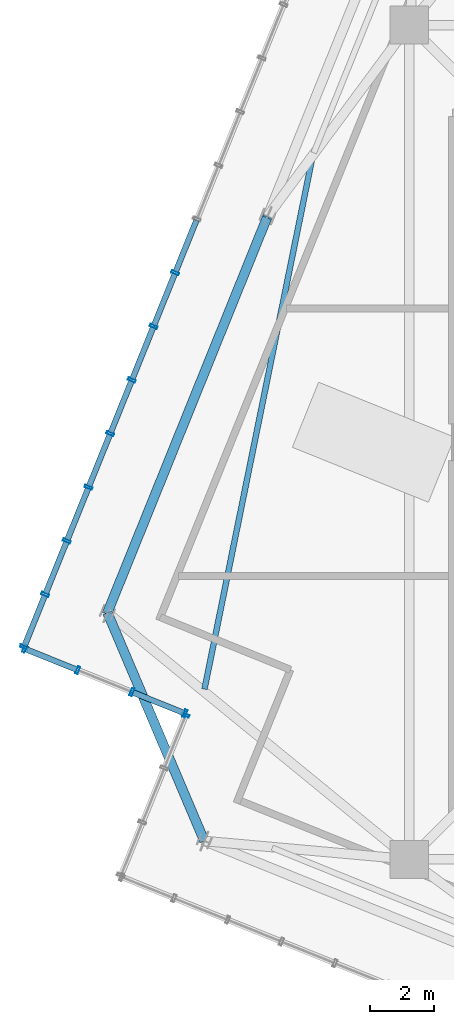
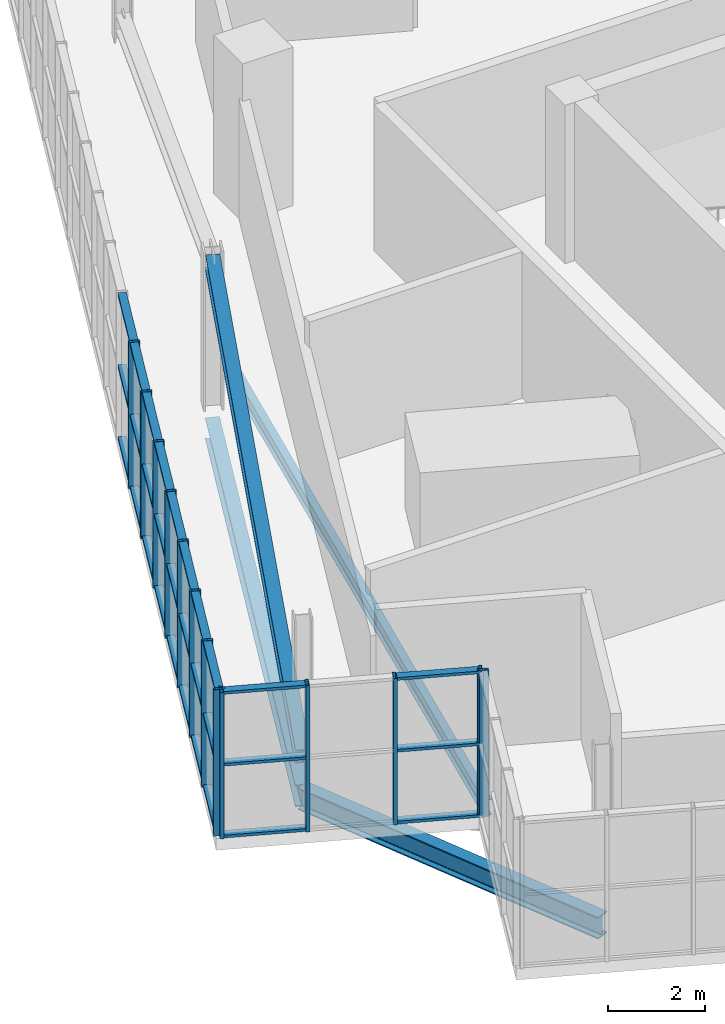
# One storey, part 6 of 26: 44 members, 3 beams, 3 elements without a shape of their own.
"""IFC4 building model written with IfcOpenShell, lengths in metres."""

from ifc_helpers import new_model, si_unit, direction, frame, origin, origin_2d, place, context, subcontext, project, spatial, hollow_rectangle, i_section, extrude, source, transform, mapped, material, layer, layer_set, material_profile, profile_set, type_object, element, aggregate, save


model = new_model("IFC4")

# Units and contexts
model_context = context("Model", 3, precision=1e-05, world=origin(), true_north=direction((0.0, 1.0)))
body_context = subcontext(model_context, "Body", "Model", "MODEL_VIEW")
ifc_project = project(units=[si_unit("LENGTHUNIT", "METRE"), si_unit("AREAUNIT", "SQUARE_METRE"), si_unit("VOLUMEUNIT", "CUBIC_METRE"), si_unit("PLANEANGLEUNIT", "RADIAN"), si_unit("MASSUNIT", "GRAM", prefix="KILO"), si_unit("THERMODYNAMICTEMPERATUREUNIT", "KELVIN")], contexts=[model_context])

# Site, building, storey
site_placement = place(None, origin())
site = spatial("IfcSite", under=ifc_project, at=site_placement, CompositionType="ELEMENT")
building_placement = place(site_placement, origin())
building = spatial("IfcBuilding", under=site, at=building_placement, Name="Kosmvard Interchange Tower", CompositionType="ELEMENT")
storey_placement = place(building_placement, frame((0.0, 0.0, 337.60009765625)))
storey = spatial("IfcBuildingStorey", under=building, at=storey_placement, Name="L83", CompositionType="ELEMENT", Elevation=337.60009765625)

# Member
ifc_material_1 = material(Name="Steel S355", Category="steel")
ifc_material_profile_1 = material_profile(ifc_material_1, i_section(OverallWidth=0.300048828125, OverallDepth=0.39990234375, WebThickness=0.013427734375, FlangeThickness=0.02392578125, FilletRadius=0.027099609375, at=origin_2d()), Name="HEB 400")
ifc_profile_set_1 = profile_set([ifc_material_profile_1], Name="Steel S355")
member_type_1 = type_object("IfcMemberType", Name="Lantern Crown Diagrid Brace HEB 400 S355", PredefinedType="BRACE", material=ifc_profile_set_1)
shared_shape_1 = source(origin(), body_context, "Body", "SweptSolid", [
    extrude(i_section(OverallWidth=0.300048828125, OverallDepth=0.39990234375, WebThickness=0.013427734375, FlangeThickness=0.02392578125, FilletRadius=0.027099609375, at=origin_2d()), origin(), (0.0, 0.0, 1.0), 13.783935546875),
])
member_1_placement = place(storey_placement, frame((-22.54345703125, -5.34423828125, 0.419921875), z_axis=(0.364177999122, 0.901367558742, 0.234330768366), x_axis=(-0.927183187789, 0.374608243744, 0.0)))
element("IfcMember", 1, at=member_1_placement, inside=storey, type_object=member_type_1, Name="L83 Crown Lantern Diagrid Brace N2", PredefinedType="BRACE", context=body_context, shape_type="MappedRepresentation", body=[
    mapped(shared_shape_1, transform((0.0, 0.0, 0.0), scale=1.0)),
])

# Beams
ifc_material_profile_2 = material_profile(ifc_material_1, i_section(OverallWidth=0.300048828125, OverallDepth=0.550048828125, WebThickness=0.014892578125, FlangeThickness=0.029052734375, FilletRadius=0.027099609375, at=origin_2d()), Name="HEB 550")
ifc_profile_set_2 = profile_set([ifc_material_profile_2], Name="Steel S355")
beam_type_1 = type_object("IfcBeamType", Name="Crown Ring Cap Girder HEB 550 S355", PredefinedType="BEAM", material=ifc_profile_set_2)
shared_shape_2 = source(origin(), body_context, "Body", "SweptSolid", [
    extrude(i_section(OverallWidth=0.300048828125, OverallDepth=0.550048828125, WebThickness=0.014892578125, FlangeThickness=0.029052734375, FilletRadius=0.027099609375, at=origin_2d()), origin(), (0.0, 0.0, 1.0), 13.400146484375),
])
beam_1_placement = place(storey_placement, frame((-17.523681640625, 7.080078125, -0.5751953125), z_axis=(-0.374608243744, -0.927183187789, 0.0), x_axis=(0.927183187789, -0.374608243744, 0.0)))
element("IfcBeam", 2, at=beam_1_placement, inside=storey, type_object=beam_type_1, Name="BM-L83-PR08", PredefinedType="BEAM", context=body_context, shape_type="MappedRepresentation", body=[
    mapped(shared_shape_2, transform((0.0, 0.0, 0.0), scale=1.0)),
])
shared_shape_3 = source(origin(), body_context, "Body", "SweptSolid", [
    extrude(i_section(OverallWidth=0.300048828125, OverallDepth=0.550048828125, WebThickness=0.014892578125, FlangeThickness=0.029052734375, FilletRadius=0.027099609375, at=origin_2d()), origin(), (0.0, 0.0, 1.0), 7.778076171875),
])
beam_2_placement = place(storey_placement, frame((-22.54345703125, -5.34423828125, -0.5751953125), z_axis=(0.39071589075, -0.92051132134, 0.0), x_axis=(0.92051132134, 0.39071589075, 0.0)))
element("IfcBeam", 3, at=beam_2_placement, inside=storey, type_object=beam_type_1, Name="BM-L83-PR09", PredefinedType="BEAM", context=body_context, shape_type="MappedRepresentation", body=[
    mapped(shared_shape_3, transform((0.0, 0.0, 0.0), scale=1.0)),
])
ifc_material_profile_3 = material_profile(ifc_material_1, i_section(OverallWidth=0.179931640625, OverallDepth=0.39990234375, WebThickness=0.008544921875, FlangeThickness=0.013427734375, FilletRadius=0.02099609375, at=origin_2d()), Name="IPE 400")
ifc_profile_set_3 = profile_set([ifc_material_profile_3], Name="Steel S355")
beam_type_2 = type_object("IfcBeamType", Name="Upper-Zone Floor Joist IPE 400 S355", PredefinedType="JOIST", material=ifc_profile_set_3)
shared_shape_4 = source(origin(), body_context, "Body", "SweptSolid", [
    extrude(i_section(OverallWidth=0.179931640625, OverallDepth=0.39990234375, WebThickness=0.008544921875, FlangeThickness=0.013427734375, FilletRadius=0.02099609375, at=origin_2d()), origin(), (0.0, 0.0, 1.0), 17.0029296875),
])
beam_3_placement = place(storey_placement, frame((-16.117919921875, 8.921875, -0.5), z_axis=(-0.198882162837, -0.98002341059, 0.0), x_axis=(0.98002341059, -0.198882162837, 0.0)))
element("IfcBeam", 4, at=beam_3_placement, inside=storey, type_object=beam_type_2, Name="BM-L83-FJ06", PredefinedType="JOIST", context=body_context, shape_type="MappedRepresentation", body=[
    mapped(shared_shape_4, transform((0.0, 0.0, 0.0), scale=1.0)),
])

# Curtain wall, members
ifc_material_2 = material(Name="Architectural anodised aluminium", Category="aluminium")
ifc_layer = layer(ifc_material_2, 0.25, Name="Architectural anodised aluminium")
ifc_layer_set = layer_set([ifc_layer], Name="Architectural anodised aluminium")
curtain_wall_type = type_object("IfcCurtainWallType", Name="CW-6 Illuminated Crown Lantern Curtain Wall", PredefinedType="NOTDEFINED", material=ifc_layer_set)
curtain_wall_1_placement = place(storey_placement, origin())
curtain_wall_1 = element("IfcCurtainWall", 5, at=curtain_wall_1_placement, inside=storey, type_object=curtain_wall_type, Name="L83 Crown Lantern Glazing Face 07", PredefinedType="NOTDEFINED")
ifc_material_profile_4 = material_profile(ifc_material_2, hollow_rectangle(XDim=0.239990234375, YDim=0.080078125, WallThickness=0.006103515625, at=origin_2d()), Name="CWM 240x80x6")
ifc_profile_set_4 = profile_set([ifc_material_profile_4], Name="Architectural anodised aluminium")
member_type_2 = type_object("IfcMemberType", Name="Lantern & Observation CW Mullion 240x80 Aluminium", PredefinedType="MULLION", material=ifc_profile_set_4)
shared_shape_5 = source(origin(), body_context, "Body", "SweptSolid", [
    extrude(hollow_rectangle(XDim=0.239990234375, YDim=0.080078125, WallThickness=0.006103515625, at=origin_2d()), origin(), (0.0, 0.0, 1.0), 3.699951171875),
])
member_2_placement = place(storey_placement, frame((-20.416015625, 5.313720703125, 0.0), z_axis=(0.0, 0.0, 1.0), x_axis=(0.927183858065, -0.374606584758, 0.0)))
member_2 = element("IfcMember", 6, at=member_2_placement, type_object=member_type_2, Name="CW-6 mullion 11", PredefinedType="MULLION", context=body_context, shape_type="MappedRepresentation", body=[
    mapped(shared_shape_5, transform((0.0, 0.0, 0.0), scale=1.0)),
])
member_3_placement = place(storey_placement, frame((-21.095703125, 3.6318359375, 0.0), z_axis=(0.0, 0.0, 1.0), x_axis=(0.927183858065, -0.374606584758, 0.0)))
member_3 = element("IfcMember", 7, at=member_3_placement, type_object=member_type_2, Name="CW-6 mullion 12", PredefinedType="MULLION", context=body_context, shape_type="MappedRepresentation", body=[
    mapped(shared_shape_5, transform((0.0, 0.0, 0.0), scale=1.0)),
])
member_4_placement = place(storey_placement, frame((-21.775146484375, 1.94970703125, 0.0), z_axis=(0.0, 0.0, 1.0), x_axis=(0.927183858065, -0.374606584758, 0.0)))
member_4 = element("IfcMember", 8, at=member_4_placement, type_object=member_type_2, Name="CW-6 mullion 13", PredefinedType="MULLION", context=body_context, shape_type="MappedRepresentation", body=[
    mapped(shared_shape_5, transform((0.0, 0.0, 0.0), scale=1.0)),
])
member_5_placement = place(storey_placement, frame((-22.454833984375, 0.267578125, 0.0), z_axis=(0.0, 0.0, 1.0), x_axis=(0.927183858065, -0.374606584758, 0.0)))
member_5 = element("IfcMember", 9, at=member_5_placement, type_object=member_type_2, Name="CW-6 mullion 14", PredefinedType="MULLION", context=body_context, shape_type="MappedRepresentation", body=[
    mapped(shared_shape_5, transform((0.0, 0.0, 0.0), scale=1.0)),
])
member_6_placement = place(storey_placement, frame((-23.13427734375, -1.414306640625, 0.0), z_axis=(0.0, 0.0, 1.0), x_axis=(0.927183858065, -0.374606584758, 0.0)))
member_6 = element("IfcMember", 10, at=member_6_placement, type_object=member_type_2, Name="CW-6 mullion 15", PredefinedType="MULLION", context=body_context, shape_type="MappedRepresentation", body=[
    mapped(shared_shape_5, transform((0.0, 0.0, 0.0), scale=1.0)),
])
member_7_placement = place(storey_placement, frame((-23.81396484375, -3.096435546875, 0.0), z_axis=(0.0, 0.0, 1.0), x_axis=(0.927183858065, -0.374606584758, 0.0)))
member_7 = element("IfcMember", 11, at=member_7_placement, type_object=member_type_2, Name="CW-6 mullion 16", PredefinedType="MULLION", context=body_context, shape_type="MappedRepresentation", body=[
    mapped(shared_shape_5, transform((0.0, 0.0, 0.0), scale=1.0)),
])
member_8_placement = place(storey_placement, frame((-24.49365234375, -4.7783203125, 0.0), z_axis=(0.0, 0.0, 1.0), x_axis=(0.927183858065, -0.374606584758, 0.0)))
member_8 = element("IfcMember", 12, at=member_8_placement, type_object=member_type_2, Name="CW-6 mullion 17", PredefinedType="MULLION", context=body_context, shape_type="MappedRepresentation", body=[
    mapped(shared_shape_5, transform((0.0, 0.0, 0.0), scale=1.0)),
])
member_9_placement = place(storey_placement, frame((-25.158203125, -6.42333984375, 0.0), z_axis=(0.0, 0.0, 1.0), x_axis=(0.927183858065, -0.374606584758, 0.0)))
member_9 = element("IfcMember", 13, at=member_9_placement, type_object=member_type_2, Name="CW-6 mullion 18", PredefinedType="MULLION", context=body_context, shape_type="MappedRepresentation", body=[
    mapped(shared_shape_5, transform((0.0, 0.0, 0.0), scale=1.0)),
])

curtain_wall_2_placement = place(storey_placement, origin())
curtain_wall_2 = element("IfcCurtainWall", 14, at=curtain_wall_2_placement, inside=storey, type_object=curtain_wall_type, Name="L83 Crown Lantern Glazing Face 08", PredefinedType="NOTDEFINED")
member_10_placement = place(storey_placement, frame((-25.135986328125, -6.475341796875, 0.0), z_axis=(0.0, 0.0, 1.0), x_axis=(0.374606564822, 0.92718386612, 0.0)))
member_10 = element("IfcMember", 15, at=member_10_placement, type_object=member_type_2, Name="CW-6 mullion 1", PredefinedType="MULLION", context=body_context, shape_type="MappedRepresentation", body=[
    mapped(shared_shape_5, transform((0.0, 0.0, 0.0), scale=1.0)),
])
member_11_placement = place(storey_placement, frame((-23.473388671875, -7.147216796875, 0.0), z_axis=(0.0, 0.0, 1.0), x_axis=(0.374606564822, 0.92718386612, 0.0)))
member_11 = element("IfcMember", 16, at=member_11_placement, type_object=member_type_2, Name="CW-6 mullion 2", PredefinedType="MULLION", context=body_context, shape_type="MappedRepresentation", body=[
    mapped(shared_shape_5, transform((0.0, 0.0, 0.0), scale=1.0)),
])
member_12_placement = place(storey_placement, frame((-21.7734375, -7.833984375, 0.0), z_axis=(0.0, 0.0, 1.0), x_axis=(0.374606564822, 0.92718386612, 0.0)))
member_12 = element("IfcMember", 17, at=member_12_placement, type_object=member_type_2, Name="CW-6 mullion 3", PredefinedType="MULLION", context=body_context, shape_type="MappedRepresentation", body=[
    mapped(shared_shape_5, transform((0.0, 0.0, 0.0), scale=1.0)),
])
member_13_placement = place(storey_placement, frame((-20.110595703125, -8.505859375, 0.0), z_axis=(0.0, 0.0, 1.0), x_axis=(0.374606564822, 0.92718386612, 0.0)))
member_13 = element("IfcMember", 18, at=member_13_placement, type_object=member_type_2, Name="CW-6 mullion 4", PredefinedType="MULLION", context=body_context, shape_type="MappedRepresentation", body=[
    mapped(shared_shape_5, transform((0.0, 0.0, 0.0), scale=1.0)),
])

# Curtain wall, member
curtain_wall_3_placement = place(storey_placement, origin())
curtain_wall_3 = element("IfcCurtainWall", 19, at=curtain_wall_3_placement, inside=storey, type_object=curtain_wall_type, Name="L83 Crown Lantern Glazing Face 09", PredefinedType="NOTDEFINED")
member_14_placement = place(storey_placement, frame((-20.088623046875, -8.557861328125, 0.0), z_axis=(0.0, 0.0, 1.0), x_axis=(0.927183891631, -0.374606501678, 0.0)))
member_14 = element("IfcMember", 20, at=member_14_placement, type_object=member_type_2, Name="CW-6 mullion 1", PredefinedType="MULLION", context=body_context, shape_type="MappedRepresentation", body=[
    mapped(shared_shape_5, transform((0.0, 0.0, 0.0), scale=1.0)),
])
aggregate(curtain_wall_3, [member_14])

# Member
ifc_material_profile_5 = material_profile(ifc_material_2, hollow_rectangle(XDim=0.179931640625, YDim=0.070068359375, WallThickness=0.0048828125, at=origin_2d()), Name="CWT 180x70x5")
ifc_profile_set_5 = profile_set([ifc_material_profile_5], Name="Architectural anodised aluminium")
member_type_3 = type_object("IfcMemberType", Name="Heavy Lantern CW Transom 180x70 Aluminium", PredefinedType="USERDEFINED", material=ifc_profile_set_5)
shared_shape_6 = source(origin(), body_context, "Body", "SweptSolid", [
    extrude(hollow_rectangle(XDim=0.179931640625, YDim=0.070068359375, WallThickness=0.0048828125, at=origin_2d()), origin(), (0.0, 0.0, 1.0), 1.694091796875),
])
member_15_placement = place(storey_placement, frame((-24.508544921875, -4.8154296875, 0.034912109375), z_axis=(-0.374544061831, -0.927209116514, 0.0), x_axis=(0.927209116514, -0.374544061831, 0.0)))
member_15 = element("IfcMember", 21, at=member_15_placement, type_object=member_type_3, Name="CW-6 transom 17.1", ObjectType="TRANSOM", PredefinedType="USERDEFINED", context=body_context, shape_type="MappedRepresentation", body=[
    mapped(shared_shape_6, transform((0.0, 0.0, 0.0), scale=1.0)),
])

member_16_placement = place(storey_placement, frame((-24.508544921875, -4.8154296875, 1.849853515625), z_axis=(-0.374544061831, -0.927209116514, 0.0), x_axis=(0.927209116514, -0.374544061831, 0.0)))
member_16 = element("IfcMember", 22, at=member_16_placement, type_object=member_type_3, Name="CW-6 transom 17.2", ObjectType="TRANSOM", PredefinedType="USERDEFINED", context=body_context, shape_type="MappedRepresentation", body=[
    mapped(shared_shape_6, transform((0.0, 0.0, 0.0), scale=1.0)),
])

member_17_placement = place(storey_placement, frame((-24.508544921875, -4.8154296875, 3.664794921875), z_axis=(-0.374544061831, -0.927209116514, 0.0), x_axis=(0.927209116514, -0.374544061831, 0.0)))
member_17 = element("IfcMember", 23, at=member_17_placement, type_object=member_type_3, Name="CW-6 transom 17.3", ObjectType="TRANSOM", PredefinedType="USERDEFINED", context=body_context, shape_type="MappedRepresentation", body=[
    mapped(shared_shape_6, transform((0.0, 0.0, 0.0), scale=1.0)),
])

shared_shape_7 = source(origin(), body_context, "Body", "SweptSolid", [
    extrude(hollow_rectangle(XDim=0.179931640625, YDim=0.070068359375, WallThickness=0.0048828125, at=origin_2d()), origin(), (0.0, 0.0, 1.0), 1.734130859375),
])
member_18_placement = place(storey_placement, frame((-19.75146484375, 6.958740234375, 0.034912109375), z_axis=(-0.374616671924, -0.927179782522, 0.0), x_axis=(0.927179782522, -0.374616671924, 0.0)))
member_18 = element("IfcMember", 24, at=member_18_placement, type_object=member_type_3, Name="CW-6 transom 10.1", ObjectType="TRANSOM", PredefinedType="USERDEFINED", context=body_context, shape_type="MappedRepresentation", body=[
    mapped(shared_shape_7, transform((0.0, 0.0, 0.0), scale=1.0)),
])

member_19_placement = place(storey_placement, frame((-19.75146484375, 6.958740234375, 1.849853515625), z_axis=(-0.374616671924, -0.927179782522, 0.0), x_axis=(0.927179782522, -0.374616671924, 0.0)))
member_19 = element("IfcMember", 25, at=member_19_placement, type_object=member_type_3, Name="CW-6 transom 10.2", ObjectType="TRANSOM", PredefinedType="USERDEFINED", context=body_context, shape_type="MappedRepresentation", body=[
    mapped(shared_shape_7, transform((0.0, 0.0, 0.0), scale=1.0)),
])

member_20_placement = place(storey_placement, frame((-19.75146484375, 6.958740234375, 3.664794921875), z_axis=(-0.374616671924, -0.927179782522, 0.0), x_axis=(0.927179782522, -0.374616671924, 0.0)))
member_20 = element("IfcMember", 26, at=member_20_placement, type_object=member_type_3, Name="CW-6 transom 10.3", ObjectType="TRANSOM", PredefinedType="USERDEFINED", context=body_context, shape_type="MappedRepresentation", body=[
    mapped(shared_shape_7, transform((0.0, 0.0, 0.0), scale=1.0)),
])

member_21_placement = place(storey_placement, frame((-20.43115234375, 5.276611328125, 0.034912109375), z_axis=(-0.374495638732, -0.927228675447, 0.0), x_axis=(0.927228675447, -0.374495638732, 0.0)))
member_21 = element("IfcMember", 27, at=member_21_placement, type_object=member_type_3, Name="CW-6 transom 11.1", ObjectType="TRANSOM", PredefinedType="USERDEFINED", context=body_context, shape_type="MappedRepresentation", body=[
    mapped(shared_shape_7, transform((0.0, 0.0, 0.0), scale=1.0)),
])

member_22_placement = place(storey_placement, frame((-20.43115234375, 5.276611328125, 1.849853515625), z_axis=(-0.374495638732, -0.927228675447, 0.0), x_axis=(0.927228675447, -0.374495638732, 0.0)))
member_22 = element("IfcMember", 28, at=member_22_placement, type_object=member_type_3, Name="CW-6 transom 11.2", ObjectType="TRANSOM", PredefinedType="USERDEFINED", context=body_context, shape_type="MappedRepresentation", body=[
    mapped(shared_shape_7, transform((0.0, 0.0, 0.0), scale=1.0)),
])

member_23_placement = place(storey_placement, frame((-20.43115234375, 5.276611328125, 3.664794921875), z_axis=(-0.374495638732, -0.927228675447, 0.0), x_axis=(0.927228675447, -0.374495638732, 0.0)))
member_23 = element("IfcMember", 29, at=member_23_placement, type_object=member_type_3, Name="CW-6 transom 11.3", ObjectType="TRANSOM", PredefinedType="USERDEFINED", context=body_context, shape_type="MappedRepresentation", body=[
    mapped(shared_shape_7, transform((0.0, 0.0, 0.0), scale=1.0)),
])

member_24_placement = place(storey_placement, frame((-21.110595703125, 3.5947265625, 0.034912109375), z_axis=(-0.374616671924, -0.927179782522, 0.0), x_axis=(0.927179782522, -0.374616671924, 0.0)))
member_24 = element("IfcMember", 30, at=member_24_placement, type_object=member_type_3, Name="CW-6 transom 12.1", ObjectType="TRANSOM", PredefinedType="USERDEFINED", context=body_context, shape_type="MappedRepresentation", body=[
    mapped(shared_shape_7, transform((0.0, 0.0, 0.0), scale=1.0)),
])

member_25_placement = place(storey_placement, frame((-21.110595703125, 3.5947265625, 1.849853515625), z_axis=(-0.374616671924, -0.927179782522, 0.0), x_axis=(0.927179782522, -0.374616671924, 0.0)))
member_25 = element("IfcMember", 31, at=member_25_placement, type_object=member_type_3, Name="CW-6 transom 12.2", ObjectType="TRANSOM", PredefinedType="USERDEFINED", context=body_context, shape_type="MappedRepresentation", body=[
    mapped(shared_shape_7, transform((0.0, 0.0, 0.0), scale=1.0)),
])

member_26_placement = place(storey_placement, frame((-21.110595703125, 3.5947265625, 3.664794921875), z_axis=(-0.374616671924, -0.927179782522, 0.0), x_axis=(0.927179782522, -0.374616671924, 0.0)))
member_26 = element("IfcMember", 32, at=member_26_placement, type_object=member_type_3, Name="CW-6 transom 12.3", ObjectType="TRANSOM", PredefinedType="USERDEFINED", context=body_context, shape_type="MappedRepresentation", body=[
    mapped(shared_shape_7, transform((0.0, 0.0, 0.0), scale=1.0)),
])

member_27_placement = place(storey_placement, frame((-21.790283203125, 1.91259765625, 0.034912109375), z_axis=(-0.374495638732, -0.927228675447, 0.0), x_axis=(0.927228675447, -0.374495638732, 0.0)))
member_27 = element("IfcMember", 33, at=member_27_placement, type_object=member_type_3, Name="CW-6 transom 13.1", ObjectType="TRANSOM", PredefinedType="USERDEFINED", context=body_context, shape_type="MappedRepresentation", body=[
    mapped(shared_shape_7, transform((0.0, 0.0, 0.0), scale=1.0)),
])

member_28_placement = place(storey_placement, frame((-21.790283203125, 1.91259765625, 1.849853515625), z_axis=(-0.374495638732, -0.927228675447, 0.0), x_axis=(0.927228675447, -0.374495638732, 0.0)))
member_28 = element("IfcMember", 34, at=member_28_placement, type_object=member_type_3, Name="CW-6 transom 13.2", ObjectType="TRANSOM", PredefinedType="USERDEFINED", context=body_context, shape_type="MappedRepresentation", body=[
    mapped(shared_shape_7, transform((0.0, 0.0, 0.0), scale=1.0)),
])

member_29_placement = place(storey_placement, frame((-21.790283203125, 1.91259765625, 3.664794921875), z_axis=(-0.374495638732, -0.927228675447, 0.0), x_axis=(0.927228675447, -0.374495638732, 0.0)))
member_29 = element("IfcMember", 35, at=member_29_placement, type_object=member_type_3, Name="CW-6 transom 13.3", ObjectType="TRANSOM", PredefinedType="USERDEFINED", context=body_context, shape_type="MappedRepresentation", body=[
    mapped(shared_shape_7, transform((0.0, 0.0, 0.0), scale=1.0)),
])

member_30_placement = place(storey_placement, frame((-23.1494140625, -1.451416015625, 0.034912109375), z_axis=(-0.374616671924, -0.927179782522, 0.0), x_axis=(0.927179782522, -0.374616671924, 0.0)))
member_30 = element("IfcMember", 36, at=member_30_placement, type_object=member_type_3, Name="CW-6 transom 15.1", ObjectType="TRANSOM", PredefinedType="USERDEFINED", context=body_context, shape_type="MappedRepresentation", body=[
    mapped(shared_shape_7, transform((0.0, 0.0, 0.0), scale=1.0)),
])

member_31_placement = place(storey_placement, frame((-23.1494140625, -1.451416015625, 1.849853515625), z_axis=(-0.374616671924, -0.927179782522, 0.0), x_axis=(0.927179782522, -0.374616671924, 0.0)))
member_31 = element("IfcMember", 37, at=member_31_placement, type_object=member_type_3, Name="CW-6 transom 15.2", ObjectType="TRANSOM", PredefinedType="USERDEFINED", context=body_context, shape_type="MappedRepresentation", body=[
    mapped(shared_shape_7, transform((0.0, 0.0, 0.0), scale=1.0)),
])

member_32_placement = place(storey_placement, frame((-23.1494140625, -1.451416015625, 3.664794921875), z_axis=(-0.374616671924, -0.927179782522, 0.0), x_axis=(0.927179782522, -0.374616671924, 0.0)))
member_32 = element("IfcMember", 38, at=member_32_placement, type_object=member_type_3, Name="CW-6 transom 15.3", ObjectType="TRANSOM", PredefinedType="USERDEFINED", context=body_context, shape_type="MappedRepresentation", body=[
    mapped(shared_shape_7, transform((0.0, 0.0, 0.0), scale=1.0)),
])

shared_shape_8 = source(origin(), body_context, "Body", "SweptSolid", [
    extrude(hollow_rectangle(XDim=0.179931640625, YDim=0.070068359375, WallThickness=0.0048828125, at=origin_2d()), origin(), (0.0, 0.0, 1.0), 1.73388671875),
])
member_33_placement = place(storey_placement, frame((-22.4697265625, 0.23046875, 0.034912109375), z_axis=(-0.374665576032, -0.927160021861, 0.0), x_axis=(0.927160021861, -0.374665576032, 0.0)))
member_33 = element("IfcMember", 39, at=member_33_placement, type_object=member_type_3, Name="CW-6 transom 14.1", ObjectType="TRANSOM", PredefinedType="USERDEFINED", context=body_context, shape_type="MappedRepresentation", body=[
    mapped(shared_shape_8, transform((0.0, 0.0, 0.0), scale=1.0)),
])

member_34_placement = place(storey_placement, frame((-22.4697265625, 0.23046875, 1.849853515625), z_axis=(-0.374665576032, -0.927160021861, 0.0), x_axis=(0.927160021861, -0.374665576032, 0.0)))
member_34 = element("IfcMember", 40, at=member_34_placement, type_object=member_type_3, Name="CW-6 transom 14.2", ObjectType="TRANSOM", PredefinedType="USERDEFINED", context=body_context, shape_type="MappedRepresentation", body=[
    mapped(shared_shape_8, transform((0.0, 0.0, 0.0), scale=1.0)),
])

member_35_placement = place(storey_placement, frame((-22.4697265625, 0.23046875, 3.664794921875), z_axis=(-0.374665576032, -0.927160021861, 0.0), x_axis=(0.927160021861, -0.374665576032, 0.0)))
member_35 = element("IfcMember", 41, at=member_35_placement, type_object=member_type_3, Name="CW-6 transom 14.3", ObjectType="TRANSOM", PredefinedType="USERDEFINED", context=body_context, shape_type="MappedRepresentation", body=[
    mapped(shared_shape_8, transform((0.0, 0.0, 0.0), scale=1.0)),
])

member_36_placement = place(storey_placement, frame((-23.828857421875, -3.133544921875, 0.034912109375), z_axis=(-0.374665576032, -0.927160021861, 0.0), x_axis=(0.927160021861, -0.374665576032, 0.0)))
member_36 = element("IfcMember", 42, at=member_36_placement, type_object=member_type_3, Name="CW-6 transom 16.1", ObjectType="TRANSOM", PredefinedType="USERDEFINED", context=body_context, shape_type="MappedRepresentation", body=[
    mapped(shared_shape_8, transform((0.0, 0.0, 0.0), scale=1.0)),
])

member_37_placement = place(storey_placement, frame((-23.828857421875, -3.133544921875, 1.849853515625), z_axis=(-0.374665576032, -0.927160021861, 0.0), x_axis=(0.927160021861, -0.374665576032, 0.0)))
member_37 = element("IfcMember", 43, at=member_37_placement, type_object=member_type_3, Name="CW-6 transom 16.2", ObjectType="TRANSOM", PredefinedType="USERDEFINED", context=body_context, shape_type="MappedRepresentation", body=[
    mapped(shared_shape_8, transform((0.0, 0.0, 0.0), scale=1.0)),
])

member_38_placement = place(storey_placement, frame((-23.828857421875, -3.133544921875, 3.664794921875), z_axis=(-0.374665576032, -0.927160021861, 0.0), x_axis=(0.927160021861, -0.374665576032, 0.0)))
member_38 = element("IfcMember", 44, at=member_38_placement, type_object=member_type_3, Name="CW-6 transom 16.3", ObjectType="TRANSOM", PredefinedType="USERDEFINED", context=body_context, shape_type="MappedRepresentation", body=[
    mapped(shared_shape_8, transform((0.0, 0.0, 0.0), scale=1.0)),
])

aggregate(curtain_wall_1, [member_2, member_3, member_4, member_5, member_6, member_7, member_8, member_9, member_18, member_19, member_20, member_21, member_22, member_23, member_24, member_25, member_26, member_27, member_28, member_29, member_33, member_34, member_35, member_30, member_31, member_32, member_36, member_37, member_38, member_15, member_16, member_17])

shared_shape_9 = source(origin(), body_context, "Body", "SweptSolid", [
    extrude(hollow_rectangle(XDim=0.179931640625, YDim=0.070068359375, WallThickness=0.0048828125, at=origin_2d()), origin(), (0.0, 0.0, 1.0), 1.71337890625),
])
member_39_placement = place(storey_placement, frame((-25.098876953125, -6.490478515625, 0.034912109375), z_axis=(0.927233273404, -0.374484254265, 0.0), x_axis=(0.374484254265, 0.927233273404, 0.0)))
member_39 = element("IfcMember", 45, at=member_39_placement, type_object=member_type_3, Name="CW-6 transom 1.1", ObjectType="TRANSOM", PredefinedType="USERDEFINED", context=body_context, shape_type="MappedRepresentation", body=[
    mapped(shared_shape_9, transform((0.0, 0.0, 0.0), scale=1.0)),
])

member_40_placement = place(storey_placement, frame((-25.098876953125, -6.490478515625, 1.849853515625), z_axis=(0.927233273404, -0.374484254265, 0.0), x_axis=(0.374484254265, 0.927233273404, 0.0)))
member_40 = element("IfcMember", 46, at=member_40_placement, type_object=member_type_3, Name="CW-6 transom 1.2", ObjectType="TRANSOM", PredefinedType="USERDEFINED", context=body_context, shape_type="MappedRepresentation", body=[
    mapped(shared_shape_9, transform((0.0, 0.0, 0.0), scale=1.0)),
])

member_41_placement = place(storey_placement, frame((-25.098876953125, -6.490478515625, 3.664794921875), z_axis=(0.927233273404, -0.374484254265, 0.0), x_axis=(0.374484254265, 0.927233273404, 0.0)))
member_41 = element("IfcMember", 47, at=member_41_placement, type_object=member_type_3, Name="CW-6 transom 1.3", ObjectType="TRANSOM", PredefinedType="USERDEFINED", context=body_context, shape_type="MappedRepresentation", body=[
    mapped(shared_shape_9, transform((0.0, 0.0, 0.0), scale=1.0)),
])

member_42_placement = place(storey_placement, frame((-21.736328125, -7.848876953125, 0.034912109375), z_axis=(0.927183787829, -0.374606758599, 0.0), x_axis=(0.374606758599, 0.927183787829, 0.0)))
member_42 = element("IfcMember", 48, at=member_42_placement, type_object=member_type_3, Name="CW-6 transom 3.1", ObjectType="TRANSOM", PredefinedType="USERDEFINED", context=body_context, shape_type="MappedRepresentation", body=[
    mapped(shared_shape_9, transform((0.0, 0.0, 0.0), scale=1.0)),
])

member_43_placement = place(storey_placement, frame((-21.736328125, -7.848876953125, 1.849853515625), z_axis=(0.927183787829, -0.374606758599, 0.0), x_axis=(0.374606758599, 0.927183787829, 0.0)))
member_43 = element("IfcMember", 49, at=member_43_placement, type_object=member_type_3, Name="CW-6 transom 3.2", ObjectType="TRANSOM", PredefinedType="USERDEFINED", context=body_context, shape_type="MappedRepresentation", body=[
    mapped(shared_shape_9, transform((0.0, 0.0, 0.0), scale=1.0)),
])

member_44_placement = place(storey_placement, frame((-21.736328125, -7.848876953125, 3.664794921875), z_axis=(0.927183787829, -0.374606758599, 0.0), x_axis=(0.374606758599, 0.927183787829, 0.0)))
member_44 = element("IfcMember", 50, at=member_44_placement, type_object=member_type_3, Name="CW-6 transom 3.3", ObjectType="TRANSOM", PredefinedType="USERDEFINED", context=body_context, shape_type="MappedRepresentation", body=[
    mapped(shared_shape_9, transform((0.0, 0.0, 0.0), scale=1.0)),
])

aggregate(curtain_wall_2, [member_10, member_11, member_12, member_13, member_39, member_40, member_41, member_42, member_43, member_44])

save(model, "model.ifc")
